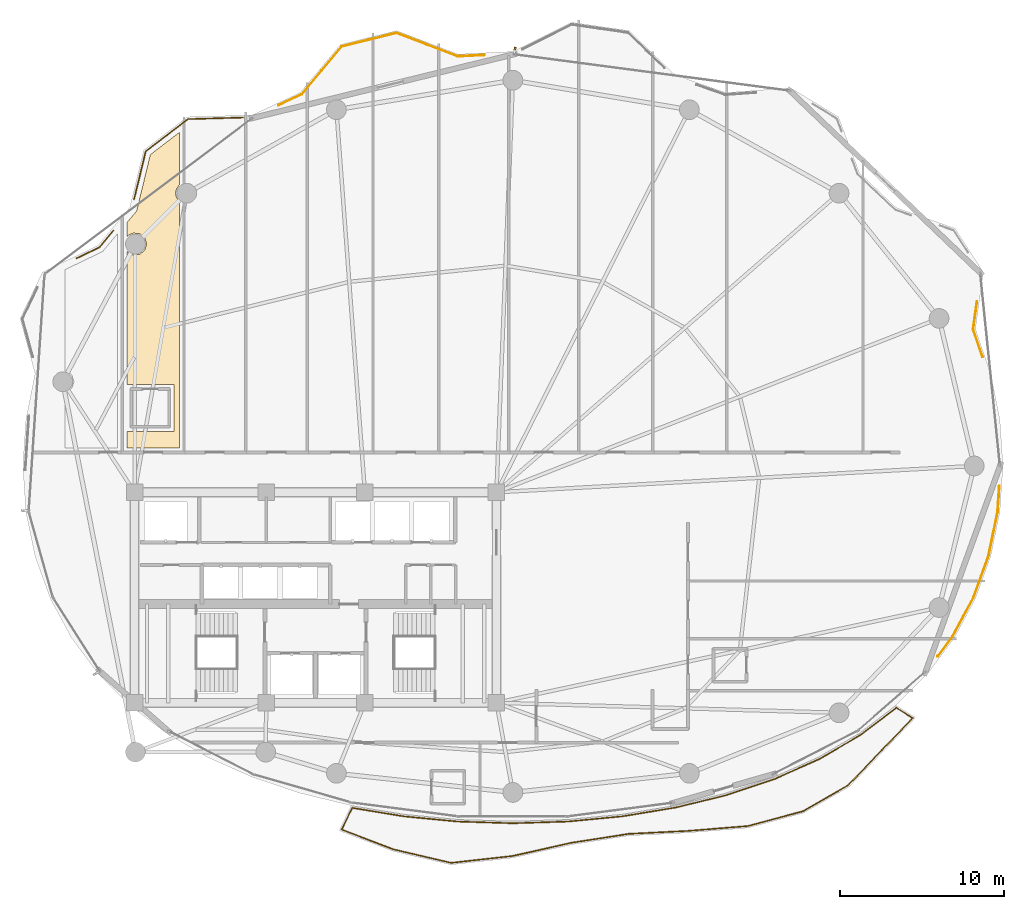
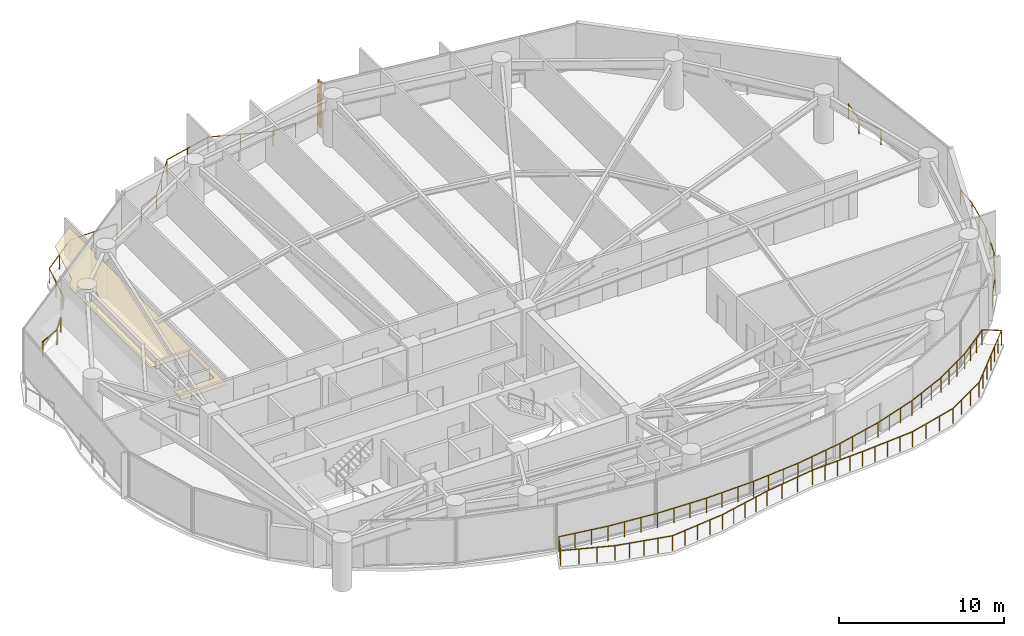
# One storey, part 30 of 31: 6 railings, 1 covering, 1 shading device.
"""IFC4 building model written with IfcOpenShell, lengths in metres."""

from ifc_helpers import new_model, si_unit, direction, frame, origin, origin_2d, place, context, subcontext, project, spatial, polyline, rectangle, outline, extrude, material, layer, layer_set, type_object, element, save


model = new_model("IFC4")

# Units and contexts
model_context = context("Model", 3, precision=1e-05, world=origin(), true_north=direction((0.0, 1.0)))
body_context = subcontext(model_context, "Body", "Model", "MODEL_VIEW")
ifc_project = project(units=[si_unit("LENGTHUNIT", "METRE"), si_unit("AREAUNIT", "SQUARE_METRE"), si_unit("VOLUMEUNIT", "CUBIC_METRE"), si_unit("PLANEANGLEUNIT", "RADIAN"), si_unit("MASSUNIT", "GRAM", prefix="KILO")], contexts=[model_context])

# Site, building, storey
site_placement = place(None, origin())
site = spatial("IfcSite", under=ifc_project, at=site_placement, CompositionType="ELEMENT")
building_placement = place(site_placement, origin())
building = spatial("IfcBuilding", under=site, at=building_placement, Name="Kazevale Care Tower and Concert Hall", CompositionType="ELEMENT")
storey_placement = place(building_placement, frame((0.0, 0.0, 117.0)))
storey = spatial("IfcBuildingStorey", under=building, at=storey_placement, Name="L30", CompositionType="ELEMENT", Elevation=117.0)

# Covering
ifc_material_1 = material(Name="Acoustic Plaster and Hinoki Wood", Category="wood")
ifc_layer = layer(ifc_material_1, 0.0400390625)
ifc_layer_set = layer_set([ifc_layer], Name="Acoustic Plaster and Hinoki Wood")
covering_type = type_object("IfcCoveringType", Name="Acoustic Perforated Wood-Gypsum Ceiling", PredefinedType="CEILING", material=ifc_layer_set)
covering_placement = place(storey_placement, frame((0.0, 0.0, 2.7099609375)))
element("IfcCovering", 1, at=covering_placement, inside=storey, type_object=covering_type, Name="clg:L30:2", PredefinedType="CEILING", context=body_context, shape_type="SweptSolid", body=[
    extrude(outline(polyline([(24.3798828125, 42.955078125), (21.530029296875, 42.955078125), (21.530029296875, 51.056884765625), (21.672119140625, 50.925048828125), (21.9169921875, 50.822998046875), (22.31005859375, 50.862060546875), (22.614990234375, 51.112060546875), (22.72998046875, 51.489990234375), (22.614990234375, 51.867919921875), (22.31005859375, 52.117919921875), (21.9169921875, 52.156982421875), (21.672119140625, 52.054931640625), (21.530029296875, 51.923095703125), (21.530029296875, 52.7919921875), (22.123046875, 53.4990234375), (22.9580078125, 56.930908203125), (24.719970703125, 58.278076171875), (24.719970703125, 55.0859375), (24.5419921875, 54.840087890625), (24.489990234375, 54.580078125), (24.5419921875, 54.320068359375), (24.719970703125, 54.073974609375), (24.719970703125, 39.10498046875), (21.530029296875, 39.10498046875), (21.530029296875, 40.094970703125), (24.3798828125, 40.094970703125), (24.3798828125, 42.955078125)])), origin(), (0.0, 0.0, 1.0), 0.0400390625),
])

# Railings
ifc_material_2 = material(Name="Anodised Bronze Aluminium and Laminated Glass", Category="aluminium")
railing_type = type_object("IfcRailingType", Name="Balcony and Terrace Balustrade 1120", PredefinedType="BALUSTRADE", material=ifc_material_2)
railing_1_placement = place(storey_placement, frame((18.4599609375, 50.62109375, 0.0)))
element("IfcRailing", 2, at=railing_1_placement, inside=storey, type_object=railing_type, Name="rail:L30:perim:3", PredefinedType="BALUSTRADE", context=body_context, shape_type="SweptSolid", body=[
    extrude(rectangle(XDim=0.048095703125, YDim=0.048095703125, at=origin_2d()), frame((0.0, 0.0, 1.09619140625), z_axis=(0.900823701656, 0.434185051026, 0.0), x_axis=(-0.434185051026, 0.900823701656, 0.0)), (0.0, 0.0, 1.0), 1.5498046875),
    extrude(rectangle(XDim=0.048095703125, YDim=0.048095703125, at=origin_2d()), frame((1.39599609375, 0.6728515625, 1.09619140625), z_axis=(0.642605296256, 0.766197385289, 0.0), x_axis=(-0.766197385289, 0.642605296256, 0.0)), (0.0, 0.0, 1.0), 1.327392578125),
    extrude(rectangle(XDim=0.0419921875, YDim=0.0419921875, at=origin_2d()), origin(), (0.0, 0.0, 1.0), 1.072021484375),
    extrude(rectangle(XDim=0.0419921875, YDim=0.0419921875, at=origin_2d()), frame((1.39599609375, 0.6728515625, 0.0)), (0.0, 0.0, 1.0), 1.072021484375),
    extrude(rectangle(XDim=0.0419921875, YDim=0.0419921875, at=origin_2d()), frame((2.2490234375, 1.68994140625, 0.0)), (0.0, 0.0, 1.0), 1.072021484375),
])
railing_2_placement = place(storey_placement, frame((21.966064453125, 54.2060546875, 0.0)))
element("IfcRailing", 3, at=railing_2_placement, inside=storey, type_object=railing_type, Name="rail:L30:perim:4", PredefinedType="BALUSTRADE", context=body_context, shape_type="SweptSolid", body=[
    extrude(rectangle(XDim=0.048095703125, YDim=0.048095703125, at=origin_2d()), frame((0.0, 0.0, 1.09619140625), z_axis=(0.236337022334, 0.971671143893, 0.0), x_axis=(-0.971671143893, 0.236337022334, 0.0)), (0.0, 0.0, 1.0), 2.995849609375),
    extrude(rectangle(XDim=0.048095703125, YDim=0.048095703125, at=origin_2d()), frame((0.7080078125, 2.910888671875, 1.09619140625), z_axis=(0.794524333095, 0.607232314785, 0.0), x_axis=(-0.607232314785, 0.794524333095, 0.0)), (0.0, 0.0, 1.0), 3.245849609375),
    extrude(rectangle(XDim=0.048095703125, YDim=0.048095703125, at=origin_2d()), frame((3.286865234375, 4.8818359375, 1.09619140625), z_axis=(0.999602588936, 0.028189788803, 0.0), x_axis=(-0.028189788803, 0.999602588936, 0.0)), (0.0, 0.0, 1.0), 3.334228515625),
    extrude(rectangle(XDim=0.0419921875, YDim=0.0419921875, at=origin_2d()), origin(), (0.0, 0.0, 1.0), 1.072021484375),
    extrude(rectangle(XDim=0.0419921875, YDim=0.0419921875, at=origin_2d()), frame((0.35400390625, 1.45556640625, 0.0)), (0.0, 0.0, 1.0), 1.072021484375),
    extrude(rectangle(XDim=0.0419921875, YDim=0.0419921875, at=origin_2d()), frame((0.7080078125, 2.910888671875, 0.0)), (0.0, 0.0, 1.0), 1.072021484375),
    extrude(rectangle(XDim=0.0419921875, YDim=0.0419921875, at=origin_2d()), frame((1.99755859375, 3.896484375, 0.0)), (0.0, 0.0, 1.0), 1.072021484375),
    extrude(rectangle(XDim=0.0419921875, YDim=0.0419921875, at=origin_2d()), frame((3.286865234375, 4.8818359375, 0.0)), (0.0, 0.0, 1.0), 1.072021484375),
    extrude(rectangle(XDim=0.0419921875, YDim=0.0419921875, at=origin_2d()), frame((4.953369140625, 4.9287109375, 0.0)), (0.0, 0.0, 1.0), 1.072021484375),
    extrude(rectangle(XDim=0.0419921875, YDim=0.0419921875, at=origin_2d()), frame((6.619873046875, 4.975830078125, 0.0)), (0.0, 0.0, 1.0), 1.072021484375),
])
railing_3_placement = place(storey_placement, frame((30.740966796875, 59.927978515625, 0.0)))
element("IfcRailing", 4, at=railing_3_placement, inside=storey, type_object=railing_type, Name="rail:L30:perim:5", PredefinedType="BALUSTRADE", context=body_context, shape_type="SweptSolid", body=[
    extrude(rectangle(XDim=0.048095703125, YDim=0.048095703125, at=origin_2d()), frame((0.0, 0.0, 1.09619140625), z_axis=(0.905736116012, 0.423842055667, 0.0), x_axis=(-0.423842055667, 0.905736116012, 0.0)), (0.0, 0.0, 1.0), 1.564453125),
    extrude(rectangle(XDim=0.048095703125, YDim=0.048095703125, at=origin_2d()), frame((1.4169921875, 0.6630859375, 1.09619140625), z_axis=(0.641607523243, 0.767033106272, 0.0), x_axis=(-0.767033106272, 0.641607523243, 0.0)), (0.0, 0.0, 1.0), 3.793701171875),
    extrude(rectangle(XDim=0.048095703125, YDim=0.048095703125, at=origin_2d()), frame((3.85107421875, 3.572998046875, 1.09619140625), z_axis=(0.970923670016, 0.239389279214, 0.0), x_axis=(-0.239389279214, 0.970923670016, 0.0)), (0.0, 0.0, 1.0), 3.433837890625),
    extrude(rectangle(XDim=0.048095703125, YDim=0.048095703125, at=origin_2d()), frame((7.18505859375, 4.39501953125, 1.09619140625), z_axis=(0.933831892262, -0.357712170598, 0.0), x_axis=(0.357712170598, 0.933831892262, 0.0)), (0.0, 0.0, 1.0), 3.978271484375),
    extrude(rectangle(XDim=0.048095703125, YDim=0.048095703125, at=origin_2d()), frame((10.900146484375, 2.971923828125, 1.09619140625), z_axis=(0.998862326121, 0.04768703657, 0.0), x_axis=(-0.04768703657, 0.998862326121, 0.0)), (0.0, 0.0, 1.0), 1.617919921875),
    extrude(rectangle(XDim=0.0419921875, YDim=0.0419921875, at=origin_2d()), origin(), (0.0, 0.0, 1.0), 1.072021484375),
    extrude(rectangle(XDim=0.0419921875, YDim=0.0419921875, at=origin_2d()), frame((1.4169921875, 0.6630859375, 0.0)), (0.0, 0.0, 1.0), 1.072021484375),
    extrude(rectangle(XDim=0.0419921875, YDim=0.0419921875, at=origin_2d()), frame((2.634033203125, 2.1181640625, 0.0)), (0.0, 0.0, 1.0), 1.072021484375),
    extrude(rectangle(XDim=0.0419921875, YDim=0.0419921875, at=origin_2d()), frame((3.85107421875, 3.572998046875, 0.0)), (0.0, 0.0, 1.0), 1.072021484375),
    extrude(rectangle(XDim=0.0419921875, YDim=0.0419921875, at=origin_2d()), frame((5.51806640625, 3.98388671875, 0.0)), (0.0, 0.0, 1.0), 1.072021484375),
    extrude(rectangle(XDim=0.0419921875, YDim=0.0419921875, at=origin_2d()), frame((7.18505859375, 4.39501953125, 0.0)), (0.0, 0.0, 1.0), 1.072021484375),
    extrude(rectangle(XDim=0.0419921875, YDim=0.0419921875, at=origin_2d()), frame((9.04248046875, 3.68359375, 0.0)), (0.0, 0.0, 1.0), 1.072021484375),
    extrude(rectangle(XDim=0.0419921875, YDim=0.0419921875, at=origin_2d()), frame((10.900146484375, 2.971923828125, 0.0)), (0.0, 0.0, 1.0), 1.072021484375),
    extrude(rectangle(XDim=0.0419921875, YDim=0.0419921875, at=origin_2d()), frame((12.51611328125, 3.049072265625, 0.0)), (0.0, 0.0, 1.0), 1.072021484375),
])
railing_4_placement = place(storey_placement, frame((74.576904296875, 36.76611328125, 0.0)))
element("IfcRailing", 5, at=railing_4_placement, inside=storey, type_object=railing_type, Name="rail:L30:perim:10", PredefinedType="BALUSTRADE", context=body_context, shape_type="SweptSolid", body=[
    extrude(rectangle(XDim=0.048095703125, YDim=0.048095703125, at=origin_2d()), frame((0.0, 0.0, 1.09619140625), z_axis=(-0.066164353261, -0.997808738365, 0.0), x_axis=(0.997808738365, -0.066164353261, 0.0)), (0.0, 0.0, 1.0), 1.553466796875),
    extrude(rectangle(XDim=0.048095703125, YDim=0.048095703125, at=origin_2d()), frame((-0.102783203125, -1.550048828125, 1.09619140625), z_axis=(-0.202611486218, -0.979259202485, 0.0), x_axis=(0.979259202485, -0.202611486218, 0.0)), (0.0, 0.0, 1.0), 2.744873046875),
    extrude(rectangle(XDim=0.048095703125, YDim=0.048095703125, at=origin_2d()), frame((-0.658935546875, -4.238037109375, 1.09619140625), z_axis=(-0.339653342944, -0.940550693279, 0.0), x_axis=(0.940550693279, -0.339653342944, 0.0)), (0.0, 0.0, 1.0), 2.70263671875),
    extrude(rectangle(XDim=0.048095703125, YDim=0.048095703125, at=origin_2d()), frame((-1.576904296875, -6.780029296875, 1.09619140625), z_axis=(-0.473735648305, -0.880667096879, 0.0), x_axis=(0.880667096879, -0.473735648305, 0.0)), (0.0, 0.0, 1.0), 2.6787109375),
    extrude(rectangle(XDim=0.048095703125, YDim=0.048095703125, at=origin_2d()), frame((-2.845947265625, -9.13916015625, 1.09619140625), z_axis=(-0.597990687273, -0.801503049236, 0.0), x_axis=(0.801503049236, -0.597990687273, 0.0)), (0.0, 0.0, 1.0), 1.498291015625),
    extrude(rectangle(XDim=0.0419921875, YDim=0.0419921875, at=origin_2d()), origin(), (0.0, 0.0, 1.0), 1.072021484375),
    extrude(rectangle(XDim=0.0419921875, YDim=0.0419921875, at=origin_2d()), frame((-0.102783203125, -1.550048828125, 0.0)), (0.0, 0.0, 1.0), 1.072021484375),
    extrude(rectangle(XDim=0.0419921875, YDim=0.0419921875, at=origin_2d()), frame((-0.380859375, -2.89404296875, 0.0)), (0.0, 0.0, 1.0), 1.072021484375),
    extrude(rectangle(XDim=0.0419921875, YDim=0.0419921875, at=origin_2d()), frame((-0.658935546875, -4.238037109375, 0.0)), (0.0, 0.0, 1.0), 1.072021484375),
    extrude(rectangle(XDim=0.0419921875, YDim=0.0419921875, at=origin_2d()), frame((-1.117919921875, -5.509033203125, 0.0)), (0.0, 0.0, 1.0), 1.072021484375),
    extrude(rectangle(XDim=0.0419921875, YDim=0.0419921875, at=origin_2d()), frame((-1.576904296875, -6.780029296875, 0.0)), (0.0, 0.0, 1.0), 1.072021484375),
    extrude(rectangle(XDim=0.0419921875, YDim=0.0419921875, at=origin_2d()), frame((-2.21142578125, -7.95947265625, 0.0)), (0.0, 0.0, 1.0), 1.072021484375),
    extrude(rectangle(XDim=0.0419921875, YDim=0.0419921875, at=origin_2d()), frame((-2.845947265625, -9.13916015625, 0.0)), (0.0, 0.0, 1.0), 1.072021484375),
    extrude(rectangle(XDim=0.0419921875, YDim=0.0419921875, at=origin_2d()), frame((-3.741943359375, -10.340087890625, 0.0)), (0.0, 0.0, 1.0), 1.072021484375),
])
railing_5_placement = place(storey_placement, frame((73.216064453125, 47.98193359375, 0.0)))
element("IfcRailing", 6, at=railing_5_placement, inside=storey, type_object=railing_type, Name="rail:L30:perim:12", PredefinedType="BALUSTRADE", context=body_context, shape_type="SweptSolid", body=[
    extrude(rectangle(XDim=0.048095703125, YDim=0.048095703125, at=origin_2d()), frame((0.0, 0.0, 1.09619140625), z_axis=(-0.137473823068, -0.990505400274, 0.0), x_axis=(0.990505400274, -0.137473823068, 0.0)), (0.0, 0.0, 1.0), 1.68896484375),
    extrude(rectangle(XDim=0.048095703125, YDim=0.048095703125, at=origin_2d()), frame((-0.232177734375, -1.6728515625, 1.09619140625), z_axis=(0.322868909969, -0.946443694562, 0.0), x_axis=(0.946443694562, 0.322868909969, 0.0)), (0.0, 0.0, 1.0), 1.784423828125),
    extrude(rectangle(XDim=0.0419921875, YDim=0.0419921875, at=origin_2d()), origin(), (0.0, 0.0, 1.0), 1.072021484375),
    extrude(rectangle(XDim=0.0419921875, YDim=0.0419921875, at=origin_2d()), frame((-0.232177734375, -1.6728515625, 0.0)), (0.0, 0.0, 1.0), 1.072021484375),
    extrude(rectangle(XDim=0.0419921875, YDim=0.0419921875, at=origin_2d()), frame((0.343994140625, -3.36181640625, 0.0)), (0.0, 0.0, 1.0), 1.072021484375),
])
railing_6_placement = place(storey_placement, frame((35.22509765625, 17.2099609375, 0.0)))
element("IfcRailing", 7, at=railing_6_placement, inside=storey, type_object=railing_type, Name="rail:L30:balcony", PredefinedType="BALUSTRADE", context=body_context, shape_type="SweptSolid", body=[
    extrude(rectangle(XDim=0.048095703125, YDim=0.048095703125, at=origin_2d()), frame((0.0, 0.0, 1.09619140625), z_axis=(0.986720826515, -0.162425399869, 0.0), x_axis=(0.162425399869, 0.986720826515, 0.0)), (0.0, 0.0, 1.0), 3.169921875),
    extrude(rectangle(XDim=0.048095703125, YDim=0.048095703125, at=origin_2d()), frame((3.1279296875, -0.514892578125, 1.09619140625), z_axis=(0.995477928413, -0.09499312629, 0.0), x_axis=(0.09499312629, 0.995477928413, 0.0)), (0.0, 0.0, 1.0), 3.31787109375),
    extrude(rectangle(XDim=0.048095703125, YDim=0.048095703125, at=origin_2d()), frame((6.430908203125, -0.830078125, 1.09619140625), z_axis=(0.999507580629, -0.031378276971, 0.0), x_axis=(0.031378276971, 0.999507580629, 0.0)), (0.0, 0.0, 1.0), 3.345703125),
    extrude(rectangle(XDim=0.048095703125, YDim=0.048095703125, at=origin_2d()), frame((9.77490234375, -0.93505859375, 1.09619140625), z_axis=(0.999507580629, 0.031378276971, 0.0), x_axis=(-0.031378276971, 0.999507580629, 0.0)), (0.0, 0.0, 1.0), 3.345703125),
    extrude(rectangle(XDim=0.048095703125, YDim=0.048095703125, at=origin_2d()), frame((13.118896484375, -0.830078125, 1.09619140625), z_axis=(0.995477928413, 0.09499312629, 0.0), x_axis=(-0.09499312629, 0.995477928413, 0.0)), (0.0, 0.0, 1.0), 3.31787109375),
    extrude(rectangle(XDim=0.048095703125, YDim=0.048095703125, at=origin_2d()), frame((16.421875, -0.514892578125, 1.09619140625), z_axis=(0.986673526711, 0.162712481659, 0.0), x_axis=(-0.162712481659, 0.986673526711, 0.0)), (0.0, 0.0, 1.0), 3.263427734375),
    extrude(rectangle(XDim=0.048095703125, YDim=0.048095703125, at=origin_2d()), frame((19.641845703125, 0.01611328125, 1.09619140625), z_axis=(0.971769261323, 0.235933259095, 0.0), x_axis=(-0.235933259095, 0.971769261323, 0.0)), (0.0, 0.0, 1.0), 3.187255859375),
    extrude(rectangle(XDim=0.048095703125, YDim=0.048095703125, at=origin_2d()), frame((22.739013671875, 0.76806640625, 1.09619140625), z_axis=(0.948264523365, 0.317481328155, 0.0), x_axis=(-0.317481328155, 0.948264523365, 0.0)), (0.0, 0.0, 1.0), 3.095947265625),
    extrude(rectangle(XDim=0.048095703125, YDim=0.048095703125, at=origin_2d()), frame((25.6748046875, 1.7509765625, 1.09619140625), z_axis=(0.913377633239, 0.407113373766, 0.0), x_axis=(-0.407113373766, 0.913377633239, 0.0)), (0.0, 0.0, 1.0), 2.99658203125),
    extrude(rectangle(XDim=0.048095703125, YDim=0.048095703125, at=origin_2d()), frame((28.411865234375, 2.970947265625, 1.09619140625), z_axis=(0.863507127078, 0.504336635082, 0.0), x_axis=(-0.504336635082, 0.863507127078, 0.0)), (0.0, 0.0, 1.0), 2.901123046875),
    extrude(rectangle(XDim=0.048095703125, YDim=0.048095703125, at=origin_2d()), frame((30.9169921875, 4.43408203125, 1.09619140625), z_axis=(0.795030778338, 0.606569090455, 0.0), x_axis=(-0.606569090455, 0.795030778338, 0.0)), (0.0, 0.0, 1.0), 2.726806640625),
    extrude(rectangle(XDim=0.048095703125, YDim=0.048095703125, at=origin_2d()), frame((33.0849609375, 6.088134765625, 1.09619140625), z_axis=(0.847893082394, -0.530167257409, 0.0), x_axis=(0.530167257409, 0.847893082394, 0.0)), (0.0, 0.0, 1.0), 1.17333984375),
    extrude(rectangle(XDim=0.048095703125, YDim=0.048095703125, at=origin_2d()), frame((34.079833984375, 5.466064453125, 1.09619140625), z_axis=(-0.691819317021, -0.722070656235, 0.0), x_axis=(0.722070656235, -0.691819317021, 0.0)), (0.0, 0.0, 1.0), 2.711669921875),
    extrude(rectangle(XDim=0.048095703125, YDim=0.048095703125, at=origin_2d()), frame((32.203857421875, 3.508056640625, 1.09619140625), z_axis=(-0.692373129824, -0.721539637926, 0.0), x_axis=(0.721539637926, -0.692373129824, 0.0)), (0.0, 0.0, 1.0), 2.946533203125),
    extrude(rectangle(XDim=0.048095703125, YDim=0.048095703125, at=origin_2d()), frame((30.163818359375, 1.382080078125, 1.09619140625), z_axis=(-0.866344262418, -0.499447313513, 0.0), x_axis=(0.499447313513, -0.866344262418, 0.0)), (0.0, 0.0, 1.0), 3.17529296875),
    extrude(rectangle(XDim=0.048095703125, YDim=0.048095703125, at=origin_2d()), frame((27.412841796875, -0.203857421875, 1.09619140625), z_axis=(-0.965789205563, -0.259328383365, 0.0), x_axis=(0.259328383365, -0.965789205563, 0.0)), (0.0, 0.0, 1.0), 3.474853515625),
    extrude(rectangle(XDim=0.048095703125, YDim=0.048095703125, at=origin_2d()), frame((24.056884765625, -1.10498046875, 1.09619140625), z_axis=(-0.99674250698, -0.08064970415, 0.0), x_axis=(0.08064970415, -0.99674250698, 0.0)), (0.0, 0.0, 1.0), 3.6689453125),
    extrude(rectangle(XDim=0.048095703125, YDim=0.048095703125, at=origin_2d()), frame((20.39990234375, -1.40087890625, 1.09619140625), z_axis=(-0.998760611033, -0.049771898194, 0.0), x_axis=(0.049771898194, -0.998760611033, 0.0)), (0.0, 0.0, 1.0), 3.600341796875),
    extrude(rectangle(XDim=0.048095703125, YDim=0.048095703125, at=origin_2d()), frame((16.803955078125, -1.580078125, 1.09619140625), z_axis=(-0.988120917742, -0.153678404213, 0.0), x_axis=(0.153678404213, -0.988120917742, 0.0)), (0.0, 0.0, 1.0), 3.518798828125),
    extrude(rectangle(XDim=0.048095703125, YDim=0.048095703125, at=origin_2d()), frame((13.326904296875, -2.120849609375, 1.09619140625), z_axis=(-0.97558083091, -0.219640711983, 0.0), x_axis=(0.219640711983, -0.97558083091, 0.0)), (0.0, 0.0, 1.0), 3.661376953125),
    extrude(rectangle(XDim=0.048095703125, YDim=0.048095703125, at=origin_2d()), frame((9.7548828125, -2.925048828125, 1.09619140625), z_axis=(-0.993778008457, -0.111378947326, 0.0), x_axis=(0.111378947326, -0.993778008457, 0.0)), (0.0, 0.0, 1.0), 3.761474609375),
    extrude(rectangle(XDim=0.048095703125, YDim=0.048095703125, at=origin_2d()), frame((6.016845703125, -3.343994140625, 1.09619140625), z_axis=(-0.973441830455, 0.228934494389, 0.0), x_axis=(-0.228934494389, -0.973441830455, 0.0)), (0.0, 0.0, 1.0), 3.63427734375),
    extrude(rectangle(XDim=0.048095703125, YDim=0.048095703125, at=origin_2d()), frame((2.47900390625, -2.511962890625, 1.09619140625), z_axis=(-0.93370239713, 0.358050043421, 0.0), x_axis=(-0.358050043421, -0.93370239713, 0.0)), (0.0, 0.0, 1.0), 3.328857421875),
    extrude(rectangle(XDim=0.048095703125, YDim=0.048095703125, at=origin_2d()), frame((-0.629150390625, -1.320068359375, 1.09619140625), z_axis=(0.430238145043, 0.902715425009, 0.0), x_axis=(-0.902715425009, 0.430238145043, 0.0)), (0.0, 0.0, 1.0), 1.46240234375),
    extrude(rectangle(XDim=0.0419921875, YDim=0.0419921875, at=origin_2d()), origin(), (0.0, 0.0, 1.0), 1.072021484375),
    extrude(rectangle(XDim=0.0419921875, YDim=0.0419921875, at=origin_2d()), frame((1.042724609375, -0.171630859375, 0.0)), (0.0, 0.0, 1.0), 1.072021484375),
    extrude(rectangle(XDim=0.0419921875, YDim=0.0419921875, at=origin_2d()), frame((2.085205078125, -0.34326171875, 0.0)), (0.0, 0.0, 1.0), 1.072021484375),
    extrude(rectangle(XDim=0.0419921875, YDim=0.0419921875, at=origin_2d()), frame((3.1279296875, -0.514892578125, 0.0)), (0.0, 0.0, 1.0), 1.072021484375),
    extrude(rectangle(XDim=0.0419921875, YDim=0.0419921875, at=origin_2d()), frame((4.22900390625, -0.619873046875, 0.0)), (0.0, 0.0, 1.0), 1.072021484375),
    extrude(rectangle(XDim=0.0419921875, YDim=0.0419921875, at=origin_2d()), frame((5.329833984375, -0.72509765625, 0.0)), (0.0, 0.0, 1.0), 1.072021484375),
    extrude(rectangle(XDim=0.0419921875, YDim=0.0419921875, at=origin_2d()), frame((6.430908203125, -0.830078125, 0.0)), (0.0, 0.0, 1.0), 1.072021484375),
    extrude(rectangle(XDim=0.0419921875, YDim=0.0419921875, at=origin_2d()), frame((7.545654296875, -0.864990234375, 0.0)), (0.0, 0.0, 1.0), 1.072021484375),
    extrude(rectangle(XDim=0.0419921875, YDim=0.0419921875, at=origin_2d()), frame((8.66015625, -0.900146484375, 0.0)), (0.0, 0.0, 1.0), 1.072021484375),
    extrude(rectangle(XDim=0.0419921875, YDim=0.0419921875, at=origin_2d()), frame((9.77490234375, -0.93505859375, 0.0)), (0.0, 0.0, 1.0), 1.072021484375),
    extrude(rectangle(XDim=0.0419921875, YDim=0.0419921875, at=origin_2d()), frame((10.8896484375, -0.900146484375, 0.0)), (0.0, 0.0, 1.0), 1.072021484375),
    extrude(rectangle(XDim=0.0419921875, YDim=0.0419921875, at=origin_2d()), frame((12.004150390625, -0.864990234375, 0.0)), (0.0, 0.0, 1.0), 1.072021484375),
    extrude(rectangle(XDim=0.0419921875, YDim=0.0419921875, at=origin_2d()), frame((13.118896484375, -0.830078125, 0.0)), (0.0, 0.0, 1.0), 1.072021484375),
    extrude(rectangle(XDim=0.0419921875, YDim=0.0419921875, at=origin_2d()), frame((14.219970703125, -0.72509765625, 0.0)), (0.0, 0.0, 1.0), 1.072021484375),
    extrude(rectangle(XDim=0.0419921875, YDim=0.0419921875, at=origin_2d()), frame((15.32080078125, -0.619873046875, 0.0)), (0.0, 0.0, 1.0), 1.072021484375),
    extrude(rectangle(XDim=0.0419921875, YDim=0.0419921875, at=origin_2d()), frame((16.421875, -0.514892578125, 0.0)), (0.0, 0.0, 1.0), 1.072021484375),
    extrude(rectangle(XDim=0.0419921875, YDim=0.0419921875, at=origin_2d()), frame((17.4951171875, -0.337890625, 0.0)), (0.0, 0.0, 1.0), 1.072021484375),
    extrude(rectangle(XDim=0.0419921875, YDim=0.0419921875, at=origin_2d()), frame((18.568603515625, -0.160888671875, 0.0)), (0.0, 0.0, 1.0), 1.072021484375),
    extrude(rectangle(XDim=0.0419921875, YDim=0.0419921875, at=origin_2d()), frame((19.641845703125, 0.01611328125, 0.0)), (0.0, 0.0, 1.0), 1.072021484375),
    extrude(rectangle(XDim=0.0419921875, YDim=0.0419921875, at=origin_2d()), frame((20.67431640625, 0.266845703125, 0.0)), (0.0, 0.0, 1.0), 1.072021484375),
    extrude(rectangle(XDim=0.0419921875, YDim=0.0419921875, at=origin_2d()), frame((21.70654296875, 0.517333984375, 0.0)), (0.0, 0.0, 1.0), 1.072021484375),
    extrude(rectangle(XDim=0.0419921875, YDim=0.0419921875, at=origin_2d()), frame((22.739013671875, 0.76806640625, 0.0)), (0.0, 0.0, 1.0), 1.072021484375),
    extrude(rectangle(XDim=0.0419921875, YDim=0.0419921875, at=origin_2d()), frame((23.717529296875, 1.095703125, 0.0)), (0.0, 0.0, 1.0), 1.072021484375),
    extrude(rectangle(XDim=0.0419921875, YDim=0.0419921875, at=origin_2d()), frame((24.6962890625, 1.42333984375, 0.0)), (0.0, 0.0, 1.0), 1.072021484375),
    extrude(rectangle(XDim=0.0419921875, YDim=0.0419921875, at=origin_2d()), frame((25.6748046875, 1.7509765625, 0.0)), (0.0, 0.0, 1.0), 1.072021484375),
    extrude(rectangle(XDim=0.0419921875, YDim=0.0419921875, at=origin_2d()), frame((26.587158203125, 2.15771484375, 0.0)), (0.0, 0.0, 1.0), 1.072021484375),
    extrude(rectangle(XDim=0.0419921875, YDim=0.0419921875, at=origin_2d()), frame((27.49951171875, 2.564208984375, 0.0)), (0.0, 0.0, 1.0), 1.072021484375),
    extrude(rectangle(XDim=0.0419921875, YDim=0.0419921875, at=origin_2d()), frame((28.411865234375, 2.970947265625, 0.0)), (0.0, 0.0, 1.0), 1.072021484375),
    extrude(rectangle(XDim=0.0419921875, YDim=0.0419921875, at=origin_2d()), frame((29.246826171875, 3.458740234375, 0.0)), (0.0, 0.0, 1.0), 1.072021484375),
    extrude(rectangle(XDim=0.0419921875, YDim=0.0419921875, at=origin_2d()), frame((30.08203125, 3.9462890625, 0.0)), (0.0, 0.0, 1.0), 1.072021484375),
    extrude(rectangle(XDim=0.0419921875, YDim=0.0419921875, at=origin_2d()), frame((30.9169921875, 4.43408203125, 0.0)), (0.0, 0.0, 1.0), 1.072021484375),
    extrude(rectangle(XDim=0.0419921875, YDim=0.0419921875, at=origin_2d()), frame((31.6396484375, 4.9853515625, 0.0)), (0.0, 0.0, 1.0), 1.072021484375),
    extrude(rectangle(XDim=0.0419921875, YDim=0.0419921875, at=origin_2d()), frame((32.3623046875, 5.536865234375, 0.0)), (0.0, 0.0, 1.0), 1.072021484375),
    extrude(rectangle(XDim=0.0419921875, YDim=0.0419921875, at=origin_2d()), frame((33.0849609375, 6.088134765625, 0.0)), (0.0, 0.0, 1.0), 1.072021484375),
    extrude(rectangle(XDim=0.0419921875, YDim=0.0419921875, at=origin_2d()), frame((34.079833984375, 5.466064453125, 0.0)), (0.0, 0.0, 1.0), 1.072021484375),
    extrude(rectangle(XDim=0.0419921875, YDim=0.0419921875, at=origin_2d()), frame((33.45458984375, 4.8134765625, 0.0)), (0.0, 0.0, 1.0), 1.072021484375),
    extrude(rectangle(XDim=0.0419921875, YDim=0.0419921875, at=origin_2d()), frame((32.8291015625, 4.16064453125, 0.0)), (0.0, 0.0, 1.0), 1.072021484375),
    extrude(rectangle(XDim=0.0419921875, YDim=0.0419921875, at=origin_2d()), frame((32.203857421875, 3.508056640625, 0.0)), (0.0, 0.0, 1.0), 1.072021484375),
    extrude(rectangle(XDim=0.0419921875, YDim=0.0419921875, at=origin_2d()), frame((31.52392578125, 2.79931640625, 0.0)), (0.0, 0.0, 1.0), 1.072021484375),
    extrude(rectangle(XDim=0.0419921875, YDim=0.0419921875, at=origin_2d()), frame((30.84375, 2.0908203125, 0.0)), (0.0, 0.0, 1.0), 1.072021484375),
    extrude(rectangle(XDim=0.0419921875, YDim=0.0419921875, at=origin_2d()), frame((30.163818359375, 1.382080078125, 0.0)), (0.0, 0.0, 1.0), 1.072021484375),
    extrude(rectangle(XDim=0.0419921875, YDim=0.0419921875, at=origin_2d()), frame((29.246826171875, 0.853515625, 0.0)), (0.0, 0.0, 1.0), 1.072021484375),
    extrude(rectangle(XDim=0.0419921875, YDim=0.0419921875, at=origin_2d()), frame((28.329833984375, 0.32470703125, 0.0)), (0.0, 0.0, 1.0), 1.072021484375),
    extrude(rectangle(XDim=0.0419921875, YDim=0.0419921875, at=origin_2d()), frame((27.412841796875, -0.203857421875, 0.0)), (0.0, 0.0, 1.0), 1.072021484375),
    extrude(rectangle(XDim=0.0419921875, YDim=0.0419921875, at=origin_2d()), frame((26.294189453125, -0.504150390625, 0.0)), (0.0, 0.0, 1.0), 1.072021484375),
    extrude(rectangle(XDim=0.0419921875, YDim=0.0419921875, at=origin_2d()), frame((25.175537109375, -0.8046875, 0.0)), (0.0, 0.0, 1.0), 1.072021484375),
    extrude(rectangle(XDim=0.0419921875, YDim=0.0419921875, at=origin_2d()), frame((24.056884765625, -1.10498046875, 0.0)), (0.0, 0.0, 1.0), 1.072021484375),
    extrude(rectangle(XDim=0.0419921875, YDim=0.0419921875, at=origin_2d()), frame((23.142578125, -1.178955078125, 0.0)), (0.0, 0.0, 1.0), 1.072021484375),
    extrude(rectangle(XDim=0.0419921875, YDim=0.0419921875, at=origin_2d()), frame((22.228515625, -1.2529296875, 0.0)), (0.0, 0.0, 1.0), 1.072021484375),
    extrude(rectangle(XDim=0.0419921875, YDim=0.0419921875, at=origin_2d()), frame((21.314208984375, -1.326904296875, 0.0)), (0.0, 0.0, 1.0), 1.072021484375),
    extrude(rectangle(XDim=0.0419921875, YDim=0.0419921875, at=origin_2d()), frame((20.39990234375, -1.40087890625, 0.0)), (0.0, 0.0, 1.0), 1.072021484375),
    extrude(rectangle(XDim=0.0419921875, YDim=0.0419921875, at=origin_2d()), frame((19.5009765625, -1.44580078125, 0.0)), (0.0, 0.0, 1.0), 1.072021484375),
    extrude(rectangle(XDim=0.0419921875, YDim=0.0419921875, at=origin_2d()), frame((18.60205078125, -1.490478515625, 0.0)), (0.0, 0.0, 1.0), 1.072021484375),
    extrude(rectangle(XDim=0.0419921875, YDim=0.0419921875, at=origin_2d()), frame((17.702880859375, -1.53515625, 0.0)), (0.0, 0.0, 1.0), 1.072021484375),
    extrude(rectangle(XDim=0.0419921875, YDim=0.0419921875, at=origin_2d()), frame((16.803955078125, -1.580078125, 0.0)), (0.0, 0.0, 1.0), 1.072021484375),
    extrude(rectangle(XDim=0.0419921875, YDim=0.0419921875, at=origin_2d()), frame((15.64501953125, -1.76025390625, 0.0)), (0.0, 0.0, 1.0), 1.072021484375),
    extrude(rectangle(XDim=0.0419921875, YDim=0.0419921875, at=origin_2d()), frame((14.48583984375, -1.940673828125, 0.0)), (0.0, 0.0, 1.0), 1.072021484375),
    extrude(rectangle(XDim=0.0419921875, YDim=0.0419921875, at=origin_2d()), frame((13.326904296875, -2.120849609375, 0.0)), (0.0, 0.0, 1.0), 1.072021484375),
    extrude(rectangle(XDim=0.0419921875, YDim=0.0419921875, at=origin_2d()), frame((12.433837890625, -2.32177734375, 0.0)), (0.0, 0.0, 1.0), 1.072021484375),
    extrude(rectangle(XDim=0.0419921875, YDim=0.0419921875, at=origin_2d()), frame((11.541015625, -2.52294921875, 0.0)), (0.0, 0.0, 1.0), 1.072021484375),
    extrude(rectangle(XDim=0.0419921875, YDim=0.0419921875, at=origin_2d()), frame((10.64794921875, -2.72412109375, 0.0)), (0.0, 0.0, 1.0), 1.072021484375),
    extrude(rectangle(XDim=0.0419921875, YDim=0.0419921875, at=origin_2d()), frame((9.7548828125, -2.925048828125, 0.0)), (0.0, 0.0, 1.0), 1.072021484375),
    extrude(rectangle(XDim=0.0419921875, YDim=0.0419921875, at=origin_2d()), frame((8.8203125, -3.02978515625, 0.0)), (0.0, 0.0, 1.0), 1.072021484375),
    extrude(rectangle(XDim=0.0419921875, YDim=0.0419921875, at=origin_2d()), frame((7.8857421875, -3.134521484375, 0.0)), (0.0, 0.0, 1.0), 1.072021484375),
    extrude(rectangle(XDim=0.0419921875, YDim=0.0419921875, at=origin_2d()), frame((6.951416015625, -3.2392578125, 0.0)), (0.0, 0.0, 1.0), 1.072021484375),
    extrude(rectangle(XDim=0.0419921875, YDim=0.0419921875, at=origin_2d()), frame((6.016845703125, -3.343994140625, 0.0)), (0.0, 0.0, 1.0), 1.072021484375),
    extrude(rectangle(XDim=0.0419921875, YDim=0.0419921875, at=origin_2d()), frame((5.13232421875, -3.135986328125, 0.0)), (0.0, 0.0, 1.0), 1.072021484375),
    extrude(rectangle(XDim=0.0419921875, YDim=0.0419921875, at=origin_2d()), frame((4.248046875, -2.927978515625, 0.0)), (0.0, 0.0, 1.0), 1.072021484375),
    extrude(rectangle(XDim=0.0419921875, YDim=0.0419921875, at=origin_2d()), frame((3.363525390625, -2.719970703125, 0.0)), (0.0, 0.0, 1.0), 1.072021484375),
    extrude(rectangle(XDim=0.0419921875, YDim=0.0419921875, at=origin_2d()), frame((2.47900390625, -2.511962890625, 0.0)), (0.0, 0.0, 1.0), 1.072021484375),
    extrude(rectangle(XDim=0.0419921875, YDim=0.0419921875, at=origin_2d()), frame((1.44287109375, -2.11474609375, 0.0)), (0.0, 0.0, 1.0), 1.072021484375),
    extrude(rectangle(XDim=0.0419921875, YDim=0.0419921875, at=origin_2d()), frame((0.406982421875, -1.71728515625, 0.0)), (0.0, 0.0, 1.0), 1.072021484375),
    extrude(rectangle(XDim=0.0419921875, YDim=0.0419921875, at=origin_2d()), frame((-0.629150390625, -1.320068359375, 0.0)), (0.0, 0.0, 1.0), 1.072021484375),
    extrude(rectangle(XDim=0.0419921875, YDim=0.0419921875, at=origin_2d()), frame((-0.314453125, -0.66015625, 0.0)), (0.0, 0.0, 1.0), 1.072021484375),
])

# Shading device
ifc_material_3 = material(Name="Honed Ochre Limestone", Category="masonry")
shading_device_type = type_object("IfcShadingDeviceType", Name="Vertical Honed Limestone Fin FIN-01", PredefinedType="USERDEFINED", material=ifc_material_3)
shading_device_placement = place(storey_placement, frame((45.118408203125, 63.27587890625, 0.0), z_axis=(0.0, 0.0, 1.0), x_axis=(0.130872263805, 0.991399238736, 0.0)))
element("IfcShadingDevice", 8, at=shading_device_placement, inside=storey, type_object=shading_device_type, Name="cw:L30:f16:fin", ObjectType="FIN", PredefinedType="USERDEFINED", context=body_context, shape_type="SweptSolid", body=[
    extrude(rectangle(XDim=0.3798828125, YDim=0.1201171875, at=origin_2d()), origin(), (0.0, 0.0, 1.0), 3.360107421875),
])

save(model, "model.ifc")
